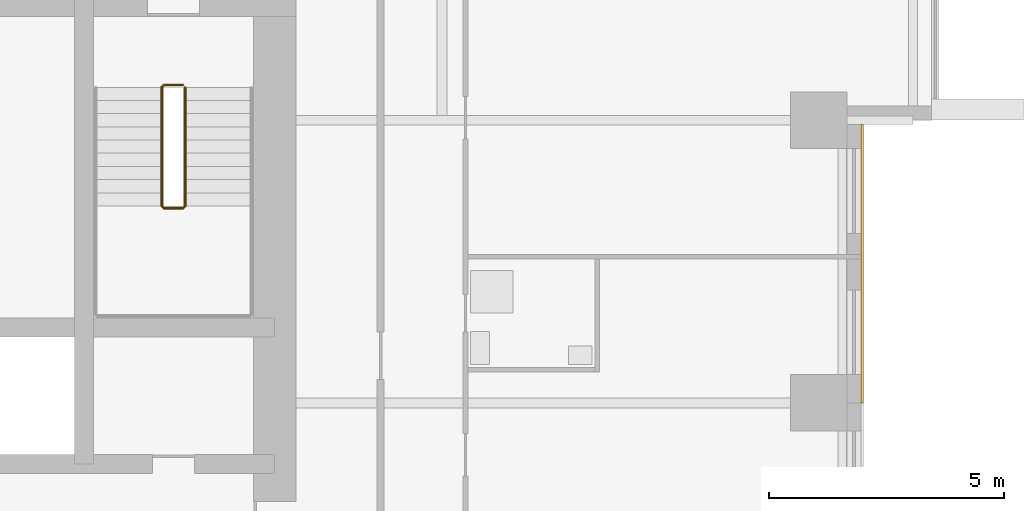
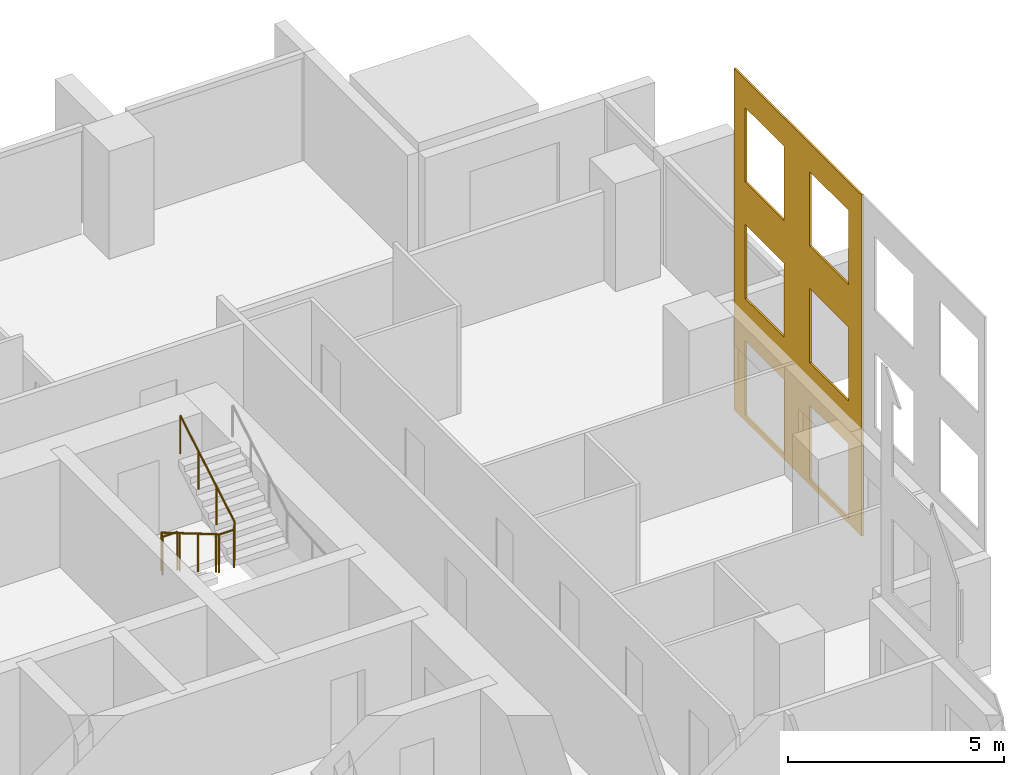
# One storey, part 10 of 11: 1 covering, 1 railing.
"""IFC4 building model written with IfcOpenShell, lengths in metres."""

import ifcopenshell
import ifcopenshell.guid

model = None  # the IFC model being written
_history = None  # IfcOwnerHistory: only IFC2X3 demands one
_inside = {}  # id of a spatial element -> (the spatial element, [elements in it])
_under = {}  # id of a project, library or spatial element -> (it, [spatial elements below it])
_declared = {}  # id of a project -> (the project, [libraries it declares])
_typed = {}  # id of a type object -> (the type object, [elements of that type])
_made_of = {}  # id of a material, layer set ... -> (it, [elements and type objects made of it])


def new_model(schema):
    """Start an empty IFC model of exactly this schema.

    Asked for "IFC4X3", IfcOpenShell would pick the latest addendum, in which some entities
    have other attributes; the version numbers below select the first issue.
    IFC2X3 requires an IfcOwnerHistory on every rooted entity: one is made here for all.
    """
    global model, _history
    if schema == "IFC4X3":
        model = ifcopenshell.file(schema_version=(4, 3, 0, 0))
    else:
        model = ifcopenshell.file(schema=schema)
    _inside.clear()
    _under.clear()
    _declared.clear()
    _typed.clear()
    _made_of.clear()
    _history = None
    if model.schema == "IFC2X3":
        org = make("IfcOrganization", Name="unknown")
        user = make(
            "IfcPersonAndOrganization",
            ThePerson=make("IfcPerson", FamilyName="unknown"),
            TheOrganization=org,
        )
        app = make(
            "IfcApplication",
            ApplicationDeveloper=org,
            Version="unknown",
            ApplicationFullName="unknown",
            ApplicationIdentifier="unknown",
        )
        _history = make(
            "IfcOwnerHistory",
            OwningUser=user,
            OwningApplication=app,
            ChangeAction="ADDED",
            CreationDate=0,
        )
    return model


def make(cls, **values):
    """One entity of the class cls with the attributes given. An attribute that is None is left unset."""
    return model.create_entity(
        cls, **{name: value for name, value in values.items() if value is not None}
    )


def rooted(cls, **values):
    """An entity with a GlobalId (a new one), such as an element, a storey or a relation."""
    return make(cls, GlobalId=ifcopenshell.guid.new(), OwnerHistory=_history, **values)


def si_unit(unit_type, name, prefix=None):
    """IfcSIUnit, for example si_unit("LENGTHUNIT", "METRE", prefix="MILLI")."""
    return make("IfcSIUnit", UnitType=unit_type, Prefix=prefix, Name=name)


def assignment(units):
    """IfcUnitAssignment: the units of a project."""
    return None if units is None else make("IfcUnitAssignment", Units=units)


def point(xyz):
    """IfcCartesianPoint."""
    return None if xyz is None else make("IfcCartesianPoint", Coordinates=xyz)


def direction(xyz):
    """IfcDirection."""
    return None if xyz is None else make("IfcDirection", DirectionRatios=xyz)


def frame(location, z_axis=None, x_axis=None):
    """IfcAxis2Placement3D, a coordinate frame: its origin and axes. An axis left out is left unset."""
    return make(
        "IfcAxis2Placement3D",
        Location=point(location),
        Axis=direction(z_axis),
        RefDirection=direction(x_axis),
    )


def frame_2d(location, x_axis=None):
    """IfcAxis2Placement2D, a coordinate frame in the plane: its origin and x axis."""
    return make(
        "IfcAxis2Placement2D", Location=point(location), RefDirection=direction(x_axis)
    )


def origin():
    """The frame at (0, 0, 0) with its axes left unset."""
    return frame((0.0, 0.0, 0.0))


def origin_2d():
    """The frame at (0, 0) in the plane with its x axis left unset."""
    return frame_2d((0.0, 0.0))


def place(relative_to, where):
    """IfcLocalPlacement: puts the frame where relative to a parent placement (None: the world)."""
    return make(
        "IfcLocalPlacement", PlacementRelTo=relative_to, RelativePlacement=where
    )


def context(
    kind, dimensions, precision=None, world=None, true_north=None, identifier=None
):
    """IfcGeometricRepresentationContext, for example the 3D "Model" context."""
    return make(
        "IfcGeometricRepresentationContext",
        ContextIdentifier=identifier,
        ContextType=kind,
        CoordinateSpaceDimension=dimensions,
        Precision=precision,
        WorldCoordinateSystem=world,
        TrueNorth=true_north,
    )


def subcontext(parent, identifier, kind, view, scale=None):
    """IfcGeometricRepresentationSubContext, for example "Body" below "Model"."""
    return make(
        "IfcGeometricRepresentationSubContext",
        ContextIdentifier=identifier,
        ContextType=kind,
        ParentContext=parent,
        TargetScale=scale,
        TargetView=view,
    )


def project(units=None, contexts=None):
    """IfcProject with its units and contexts."""
    return rooted(
        "IfcProject",
        Name="project",
        RepresentationContexts=contexts,
        UnitsInContext=assignment(units),
    )


def spatial(cls, under=None, at=None, **own):
    """A site, building, storey or space (cls), placed at a placement, below another one or the project."""
    s = rooted(cls, ObjectPlacement=at, **own)
    if under is not None:
        _under.setdefault(under.id(), (under, []))[1].append(s)
    return s


def polyline(points):
    """IfcPolyline through the points."""
    return make("IfcPolyline", Points=[point(p) for p in points])


def profile(cls, at=None, kind="AREA", **sizes):
    """A parametric profile (cls). Its sizes go by their IFC names, for example OverallWidth=200.0."""
    return make(cls, ProfileType=kind, Position=at, **sizes)


def circle(**sizes):
    """IfcCircleProfileDef."""
    return profile("IfcCircleProfileDef", **sizes)


def outline(outer, holes=None, kind="AREA"):
    """IfcArbitraryClosedProfileDef: a profile drawn as a closed curve; with holes, ...WithVoids."""
    if holes is None:
        return make("IfcArbitraryClosedProfileDef", ProfileType=kind, OuterCurve=outer)
    return make(
        "IfcArbitraryProfileDefWithVoids",
        ProfileType=kind,
        OuterCurve=outer,
        InnerCurves=holes,
    )


def extrude(swept, where, along, depth):
    """IfcExtrudedAreaSolid: the profile swept, set in the frame where, extruded along a direction by depth."""
    return make(
        "IfcExtrudedAreaSolid",
        SweptArea=swept,
        Position=where,
        ExtrudedDirection=direction(along),
        Depth=depth,
    )


def shape(context_of_items, identifier, shape_type, items):
    """IfcShapeRepresentation: the items that make up one representation, for example the "Body"."""
    return make(
        "IfcShapeRepresentation",
        ContextOfItems=context_of_items,
        RepresentationIdentifier=identifier,
        RepresentationType=shape_type,
        Items=items,
    )


def material(Name=None, Category=None):
    """IfcMaterial."""
    return make("IfcMaterial", Name=Name, Category=Category)


def layer(
    of_material, thickness, ventilated=None, Name=None, Category=None, Priority=None
):
    """IfcMaterialLayer: one layer of a wall or slab, of a material (None: an air gap)."""
    return make(
        "IfcMaterialLayer",
        Material=of_material,
        LayerThickness=thickness,
        IsVentilated=ventilated,
        Name=Name,
        Category=Category,
        Priority=Priority,
    )


def layer_set(layers, Name=None):
    """IfcMaterialLayerSet."""
    return make("IfcMaterialLayerSet", MaterialLayers=layers, LayerSetName=Name)


def made_of(thing, what):
    """Note that an element or type object is made of a material, layer set ...; save() writes the relation."""
    if what is not None:
        _made_of.setdefault(what.id(), (what, []))[1].append(thing)
    return thing


def type_object(cls, material=None, **own):
    """A type object (cls), such as IfcWallType, which elements share."""
    return made_of(rooted(cls, **own), material)


def element(
    cls,
    number,
    at=None,
    inside=None,
    cuts=None,
    type_object=None,
    material=None,
    context=None,
    identifier="Body",
    shape_type=None,
    held_by="IfcProductDefinitionShape",
    body=None,
    shapes=None,
    **own,
):
    """One element of the class cls, such as IfcWall. Its Tag is "e" and its number.

    at: its placement. inside: the storey or other place that contains it. cuts: it is an
    opening in that element (IfcRelVoidsElement). A single representation is given by context,
    identifier, shape_type and body (its items); several are given by shapes. held_by: the class
    of the entity that holds the representations. save() writes the other relations.
    """
    e = rooted(cls, Tag="e%d" % number, ObjectPlacement=at, **own)
    if body is not None:
        shapes = [shape(context, identifier, shape_type, body)]
    if shapes is not None:
        e.Representation = make(held_by, Representations=shapes)
    if inside is not None:
        _inside.setdefault(inside.id(), (inside, []))[1].append(e)
    if cuts is not None:
        rooted(
            "IfcRelVoidsElement", RelatingBuildingElement=cuts, RelatedOpeningElement=e
        )
    if type_object is not None:
        _typed.setdefault(type_object.id(), (type_object, []))[1].append(e)
    return made_of(e, material)


def aggregate(whole, parts):
    """IfcRelAggregates: a whole, such as a stair, and the parts it consists of."""
    return rooted("IfcRelAggregates", RelatingObject=whole, RelatedObjects=parts)


def save(model, path):
    """Write the relations noted so far, then the file.

    IfcRelAggregates (storeys below a building ...), IfcRelContainedInSpatialStructure (elements
    in a storey), IfcRelDefinesByType, IfcRelAssociatesMaterial and IfcRelDeclares: one each for
    every whole, place, type object, material and project.
    """
    for whole, parts in _under.values():
        aggregate(whole, parts)
    for where, things in _inside.values():
        rooted(
            "IfcRelContainedInSpatialStructure",
            RelatedElements=things,
            RelatingStructure=where,
        )
    for kind, things in _typed.values():
        rooted("IfcRelDefinesByType", RelatedObjects=things, RelatingType=kind)
    for what, things in _made_of.values():
        rooted("IfcRelAssociatesMaterial", RelatedObjects=things, RelatingMaterial=what)
    for by, libraries in _declared.values():
        rooted("IfcRelDeclares", RelatingContext=by, RelatedDefinitions=libraries)
    model.write(path)


model = new_model("IFC4")

# Units and contexts
model_context = context("Model", 3, precision=1e-05, world=origin(), true_north=direction((0.0, 1.0)))
body_context = subcontext(model_context, "Body", "Model", "MODEL_VIEW")
ifc_project = project(units=[si_unit("LENGTHUNIT", "METRE"), si_unit("AREAUNIT", "SQUARE_METRE"), si_unit("VOLUMEUNIT", "CUBIC_METRE"), si_unit("PLANEANGLEUNIT", "RADIAN"), si_unit("MASSUNIT", "GRAM", prefix="KILO")], contexts=[model_context])

# Site, building, storey
site_placement = place(None, origin())
site = spatial("IfcSite", under=ifc_project, at=site_placement, CompositionType="ELEMENT")
building_placement = place(site_placement, origin())
building = spatial("IfcBuilding", under=site, at=building_placement, Name="Amberfall Residences", CompositionType="ELEMENT")
storey_placement = place(building_placement, frame((0.0, 0.0, 43.300048828125)))
storey = spatial("IfcBuildingStorey", under=building, at=storey_placement, Name="L11", CompositionType="ELEMENT", Elevation=43.300048828125)

# Covering
ifc_material_1 = material(Name="Pale limestone cladding", Category="masonry")
ifc_layer = layer(ifc_material_1, 0.050048828125)
ifc_layer_set = layer_set([ifc_layer], Name="Limestone fascia 50")
covering_type = type_object("IfcCoveringType", Name="Limestone fascia 50", PredefinedType="CLADDING", material=ifc_layer_set)
covering_placement = place(storey_placement, frame((98.5, 48.39990234375, 9.64990234375), z_axis=(-1.0, 0.0, 0.0), x_axis=(0.0, 1.0, 0.0)))
element("IfcCovering", 1, at=covering_placement, inside=storey, type_object=covering_type, Name="Pale limestone cladding L11-L13 E", PredefinedType="CLADDING", context=body_context, shape_type="SweptSolid", body=[
    extrude(outline(polyline([(0.0, 0.0), (5.91015625, 0.0), (5.91015625, 9.64990234375), (0.0, 9.64990234375), (0.0, 0.0)]), holes=[polyline([(0.60009765625, 7.39990234375), (2.400146484375, 7.39990234375), (2.400146484375, 9.5), (0.60009765625, 9.5), (0.60009765625, 7.39990234375)]), polyline([(3.60009765625, 7.39990234375), (5.400146484375, 7.39990234375), (5.400146484375, 9.5), (3.60009765625, 9.5), (3.60009765625, 7.39990234375)]), polyline([(0.60009765625, 4.099853515625), (2.400146484375, 4.099853515625), (2.400146484375, 6.199951171875), (0.60009765625, 6.199951171875), (0.60009765625, 4.099853515625)]), polyline([(3.60009765625, 4.099853515625), (5.400146484375, 4.099853515625), (5.400146484375, 6.199951171875), (3.60009765625, 6.199951171875), (3.60009765625, 4.099853515625)]), polyline([(0.60009765625, 0.800048828125), (2.400146484375, 0.800048828125), (2.400146484375, 2.89990234375), (0.60009765625, 2.89990234375), (0.60009765625, 0.800048828125)]), polyline([(3.60009765625, 0.800048828125), (5.400146484375, 0.800048828125), (5.400146484375, 2.89990234375), (3.60009765625, 2.89990234375), (3.60009765625, 0.800048828125)])]), origin(), (0.0, 0.0, -1.0), 0.050048828125),
])

# Railing
ifc_material_2 = material(Name="Stainless steel 316", Category="steel")
railing_type = type_object("IfcRailingType", Name="Stair guard 1100", PredefinedType="GUARDRAIL", material=ifc_material_2)
railing_placement = place(storey_placement, frame((84.10009765625, 55.14990234375, 0.0)))
element("IfcRailing", 2, at=railing_placement, inside=storey, type_object=railing_type, Name="L11 stair 3 guard", PredefinedType="GUARDRAIL", context=body_context, shape_type="SweptSolid", body=[
    extrude(circle(Radius=0.02392578125, at=origin_2d()), frame((0.0, 0.0, 1.076171875), z_axis=(-1.0, 0.0, 0.0), x_axis=(0.0, -1.0, 0.0)), (0.0, 0.0, 1.0), 0.400146484375),
    extrude(circle(Radius=0.02392578125, at=origin_2d()), frame((-0.400146484375, 0.0, 1.076171875), z_axis=(-0.278810427259, -0.277450376394, 0.919394384522), x_axis=(0.705375805398, -0.708833529934, 0.0)), (0.0, 0.0, 1.0), 0.179443359375),
    extrude(circle(Radius=0.02392578125, at=origin_2d()), frame((-0.4501953125, -0.0498046875, 1.2412109375), z_axis=(0.0, -0.861560626758, 0.507654692109), x_axis=(1.0, 0.0, 0.0)), (0.0, 0.0, 1.0), 2.925048828125),
    extrude(circle(Radius=0.02392578125, at=origin_2d()), frame((-0.4501953125, -2.56982421875, 2.72607421875), z_axis=(0.707106781187, -0.707106781187, 0.0), x_axis=(0.707106781187, 0.707106781187, 0.0)), (0.0, 0.0, 1.0), 0.07080078125),
    extrude(circle(Radius=0.02392578125, at=origin_2d()), frame((-0.400146484375, -2.619873046875, 2.72607421875), z_axis=(1.0, 0.0, 0.0), x_axis=(0.0, 1.0, 0.0)), (0.0, 0.0, 1.0), 0.400146484375),
    extrude(circle(Radius=0.02392578125, at=origin_2d()), frame((0.0, -2.619873046875, 2.72607421875), z_axis=(0.277450376394, 0.278810427259, 0.919394384522), x_axis=(-0.708833529934, 0.705375805398, 0.0)), (0.0, 0.0, 1.0), 0.179443359375),
    extrude(circle(Radius=0.02392578125, at=origin_2d()), frame((0.0498046875, -2.56982421875, 2.89111328125), z_axis=(0.0, 0.86152411907, 0.507716645641), x_axis=(-1.0, 0.0, 0.0)), (0.0, 0.0, 1.0), 2.925048828125),
    extrude(circle(Radius=0.02099609375, at=origin_2d()), origin(), (0.0, 0.0, 1.0), 1.052001953125),
    extrude(circle(Radius=0.02099609375, at=origin_2d()), frame((-0.400146484375, 0.0, 0.0)), (0.0, 0.0, 1.0), 1.052001953125),
    extrude(circle(Radius=0.02099609375, at=origin_2d()), frame((-0.4501953125, -0.0498046875, 0.1650390625)), (0.0, 0.0, 1.0), 1.052001953125),
    extrude(circle(Radius=0.02099609375, at=origin_2d()), frame((-0.4501953125, -0.889892578125, 0.659912109375)), (0.0, 0.0, 1.0), 1.052001953125),
    extrude(circle(Radius=0.02099609375, at=origin_2d()), frame((-0.4501953125, -1.729736328125, 1.155029296875)), (0.0, 0.0, 1.0), 1.052001953125),
    extrude(circle(Radius=0.02099609375, at=origin_2d()), frame((-0.4501953125, -2.56982421875, 1.64990234375)), (0.0, 0.0, 1.0), 1.052001953125),
    extrude(circle(Radius=0.02099609375, at=origin_2d()), frame((-0.400146484375, -2.619873046875, 1.64990234375)), (0.0, 0.0, 1.0), 1.052001953125),
    extrude(circle(Radius=0.02099609375, at=origin_2d()), frame((0.0, -2.619873046875, 1.64990234375)), (0.0, 0.0, 1.0), 1.052001953125),
    extrude(circle(Radius=0.02099609375, at=origin_2d()), frame((0.0498046875, -2.56982421875, 1.81494140625)), (0.0, 0.0, 1.0), 1.052001953125),
    extrude(circle(Radius=0.02099609375, at=origin_2d()), frame((0.0498046875, -1.729736328125, 2.31005859375)), (0.0, 0.0, 1.0), 1.052001953125),
    extrude(circle(Radius=0.02099609375, at=origin_2d()), frame((0.0498046875, -0.889892578125, 2.804931640625)), (0.0, 0.0, 1.0), 1.052001953125),
    extrude(circle(Radius=0.02099609375, at=origin_2d()), frame((0.0498046875, -0.0498046875, 3.300048828125)), (0.0, 0.0, 1.0), 1.052001953125),
])

save(model, "model.ifc")
